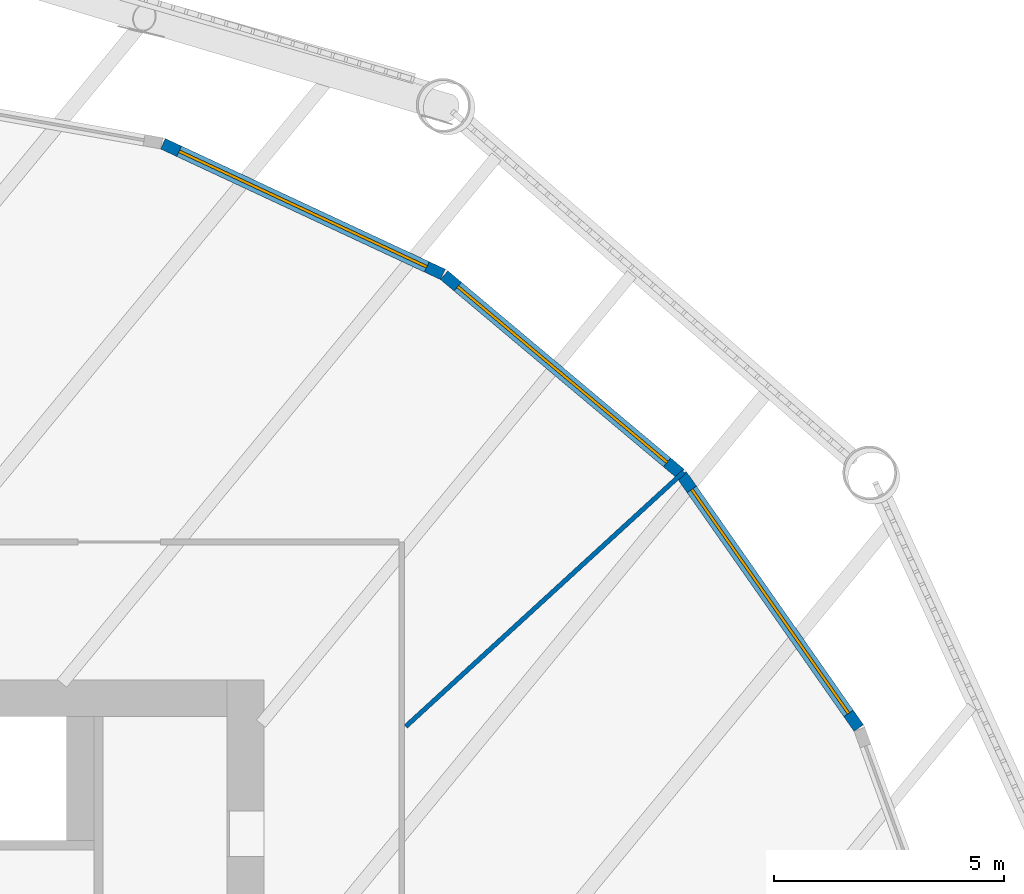
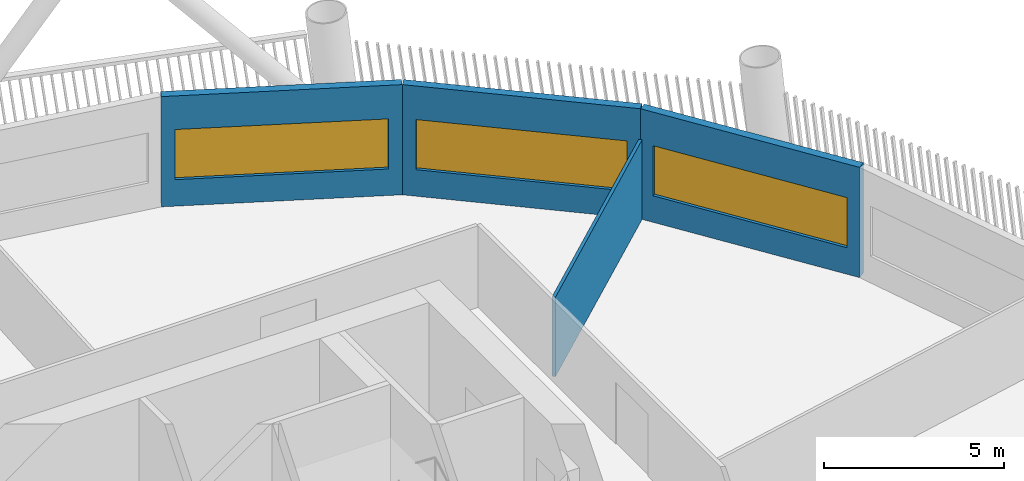
# One storey, part 8 of 22: 4 walls, 3 windows, 3 openings.
"""IFC4 building model written with IfcOpenShell, lengths in metres."""

from ifc_helpers import new_model, si_unit, direction, frame, frame_2d, origin, place, context, subcontext, project, spatial, rectangle, extrude, material, layer, layer_set, type_object, element, fill, save


model = new_model("IFC4")

# Units and contexts
model_context = context("Model", 3, precision=1e-05, world=origin(), true_north=direction((0.0, 1.0)))
body_context = subcontext(model_context, "Body", "Model", "MODEL_VIEW")
ifc_project = project(units=[si_unit("LENGTHUNIT", "METRE"), si_unit("AREAUNIT", "SQUARE_METRE"), si_unit("VOLUMEUNIT", "CUBIC_METRE"), si_unit("PLANEANGLEUNIT", "RADIAN"), si_unit("MASSUNIT", "GRAM", prefix="KILO")], contexts=[model_context])

# Site, building, storey
site_placement = place(None, origin())
site = spatial("IfcSite", under=ifc_project, at=site_placement, CompositionType="ELEMENT")
building_placement = place(site_placement, origin())
building = spatial("IfcBuilding", under=site, at=building_placement, Name="Tarsis Ring Headquarters", CompositionType="ELEMENT")
storey_placement = place(building_placement, frame((0.0, 0.0, 108.39990234375)))
storey = spatial("IfcBuildingStorey", under=building, at=storey_placement, Name="L24", CompositionType="ELEMENT", Elevation=108.39990234375)

# Wall
ifc_material_1 = material(Name="Gypsum board on steel studs", Category="steel")
ifc_layer_1 = layer(ifc_material_1, 0.10009765625)
ifc_layer_set_1 = layer_set([ifc_layer_1], Name="FL partition 100 unrated")
wall_type_1 = type_object("IfcWallType", Name="FL partition 100 unrated", PredefinedType="PARTITIONING", material=ifc_layer_set_1)
wall_1_placement = place(storey_placement, frame((13.08837890625, 11.985107421875, 0.0), z_axis=(0.0, 0.0, 1.0), x_axis=(0.737530914326, 0.675313372008, 0.0)))
element("IfcWall", 1, at=wall_1_placement, inside=storey, type_object=wall_type_1, Name="Partition PW3", PredefinedType="PARTITIONING", context=body_context, shape_type="SweptSolid", body=[
    extrude(rectangle(XDim=8.201171875, YDim=0.10009765625, at=frame_2d((4.1005859375, 0.0))), origin(), (0.0, 0.0, 1.0), 2.7001953125),
])

# Wall, opening, window
ifc_material_2 = material(Name="Terracotta clad insulated panel wall", Category="masonry")
ifc_layer_2 = layer(ifc_material_2, 0.25)
ifc_layer_set_2 = layer_set([ifc_layer_2], Name="Facade wall terracotta panel 250")
wall_type_2 = type_object("IfcWallType", Name="Facade wall terracotta panel 250", PredefinedType="STANDARD", material=ifc_layer_set_2)
wall_2_placement = place(storey_placement, frame((22.945068359375, 11.95263671875, 0.0), z_axis=(0.0, 0.0, 1.0), x_axis=(-0.573277060881, 0.819361587743, 0.0)))
wall_2 = element("IfcWall", 2, at=wall_2_placement, inside=storey, type_object=wall_type_2, Name="External wall L24-25", PredefinedType="STANDARD", context=body_context, shape_type="SweptSolid", body=[
    extrude(rectangle(XDim=6.721435546875, YDim=0.25, at=frame_2d((3.36083984375, 0.0))), origin(), (0.0, 0.0, 1.0), 3.739990234375),
])
opening_1_placement = place(wall_2_placement, frame((0.3857421875, 0.0, 0.89990234375)))
opening_1 = element("IfcOpeningElement", 3, at=opening_1_placement, cuts=wall_2, Name="Opening WN07", PredefinedType="OPENING", context=body_context, shape_type="SweptSolid", body=[
    extrude(rectangle(XDim=5.949951171875, YDim=1.699951171875, at=frame_2d((2.97509765625, 0.85009765625))), frame((0.0, 0.135009765625, 0.0), z_axis=(0.0, -1.0, 0.0), x_axis=(1.0, 0.0, 0.0)), (0.0, 0.0, 1.0), 0.27001953125),
])
ifc_material_3 = material(Name="Aluminium framed double glazing", Category="aluminium")
window_type = type_object("IfcWindowType", Name="Facade window 5950 x 1700", PartitioningType="SINGLE_PANEL", PredefinedType="WINDOW", material=ifc_material_3)
window_1_placement = place(opening_1_placement, origin())
window_1 = element("IfcWindow", 4, at=window_1_placement, inside=storey, type_object=window_type, Name="Window L24-25.1", OverallHeight=1.699951171875, OverallWidth=5.949951171875, PartitioningType="SINGLE_PANEL", PredefinedType="WINDOW", context=body_context, shape_type="SweptSolid", body=[
    extrude(rectangle(XDim=5.949951171875, YDim=1.699951171875, at=frame_2d((2.97509765625, 0.85009765625))), frame((0.0, 0.030029296875, 0.0), z_axis=(0.0, -1.0, 0.0), x_axis=(1.0, 0.0, 0.0)), (0.0, 0.0, 1.0), 0.06005859375),
])
fill(opening_1, window_1)

wall_3_placement = place(storey_placement, frame((19.06982421875, 17.484130859375, 0.0), z_axis=(0.0, 0.0, 1.0), x_axis=(-0.765822201448, 0.643052374048, 0.0)))
wall_3 = element("IfcWall", 5, at=wall_3_placement, inside=storey, type_object=wall_type_2, Name="External wall L24-26", PredefinedType="STANDARD", context=body_context, shape_type="SweptSolid", body=[
    extrude(rectangle(XDim=6.721435546875, YDim=0.25, at=frame_2d((3.36083984375, 0.0))), origin(), (0.0, 0.0, 1.0), 3.739990234375),
])
opening_2_placement = place(wall_3_placement, frame((0.3857421875, 0.0, 0.89990234375)))
opening_2 = element("IfcOpeningElement", 6, at=opening_2_placement, cuts=wall_3, Name="Opening WN07", PredefinedType="OPENING", context=body_context, shape_type="SweptSolid", body=[
    extrude(rectangle(XDim=5.949951171875, YDim=1.699951171875, at=frame_2d((2.97509765625, 0.85009765625))), frame((0.0, 0.135009765625, 0.0), z_axis=(0.0, -1.0, 0.0), x_axis=(1.0, 0.0, 0.0)), (0.0, 0.0, 1.0), 0.27001953125),
])
window_2_placement = place(opening_2_placement, origin())
window_2 = element("IfcWindow", 7, at=window_2_placement, inside=storey, type_object=window_type, Name="Window L24-26.1", OverallHeight=1.699951171875, OverallWidth=5.949951171875, PartitioningType="SINGLE_PANEL", PredefinedType="WINDOW", context=body_context, shape_type="SweptSolid", body=[
    extrude(rectangle(XDim=5.949951171875, YDim=1.699951171875, at=frame_2d((2.97509765625, 0.85009765625))), frame((0.0, 0.030029296875, 0.0), z_axis=(0.0, -1.0, 0.0), x_axis=(1.0, 0.0, 0.0)), (0.0, 0.0, 1.0), 0.06005859375),
])
fill(opening_2, window_2)

wall_4_placement = place(storey_placement, frame((13.894775390625, 21.823974609375, 0.0), z_axis=(0.0, 0.0, 1.0), x_axis=(-0.906160868325, 0.42293318706, 0.0)))
wall_4 = element("IfcWall", 8, at=wall_4_placement, inside=storey, type_object=wall_type_2, Name="External wall L24-27", PredefinedType="STANDARD", context=body_context, shape_type="SweptSolid", body=[
    extrude(rectangle(XDim=6.7216796875, YDim=0.25, at=frame_2d((3.36083984375, 0.0))), origin(), (0.0, 0.0, 1.0), 3.739990234375),
])
opening_3_placement = place(wall_4_placement, frame((0.3857421875, 0.0, 0.89990234375)))
opening_3 = element("IfcOpeningElement", 9, at=opening_3_placement, cuts=wall_4, Name="Opening WN07", PredefinedType="OPENING", context=body_context, shape_type="SweptSolid", body=[
    extrude(rectangle(XDim=5.949951171875, YDim=1.699951171875, at=frame_2d((2.97509765625, 0.85009765625))), frame((0.0, 0.135009765625, 0.0), z_axis=(0.0, -1.0, 0.0), x_axis=(1.0, 0.0, 0.0)), (0.0, 0.0, 1.0), 0.27001953125),
])
window_3_placement = place(opening_3_placement, origin())
window_3 = element("IfcWindow", 10, at=window_3_placement, inside=storey, type_object=window_type, Name="Window L24-27.1", OverallHeight=1.699951171875, OverallWidth=5.949951171875, PartitioningType="SINGLE_PANEL", PredefinedType="WINDOW", context=body_context, shape_type="SweptSolid", body=[
    extrude(rectangle(XDim=5.949951171875, YDim=1.699951171875, at=frame_2d((2.97509765625, 0.85009765625))), frame((0.0, 0.030029296875, 0.0), z_axis=(0.0, -1.0, 0.0), x_axis=(1.0, 0.0, 0.0)), (0.0, 0.0, 1.0), 0.06005859375),
])
fill(opening_3, window_3)

save(model, "model.ifc")
